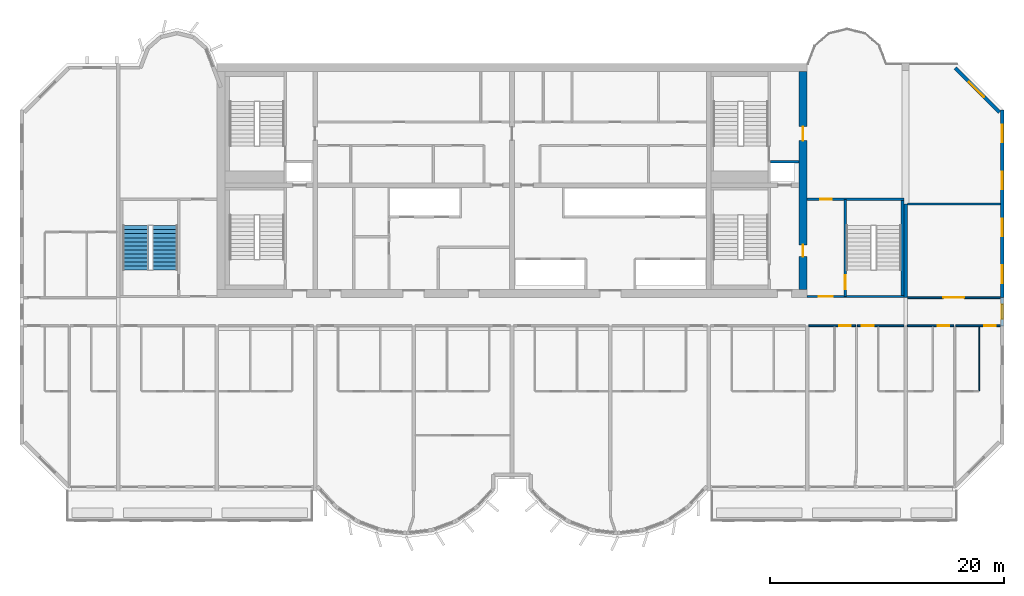
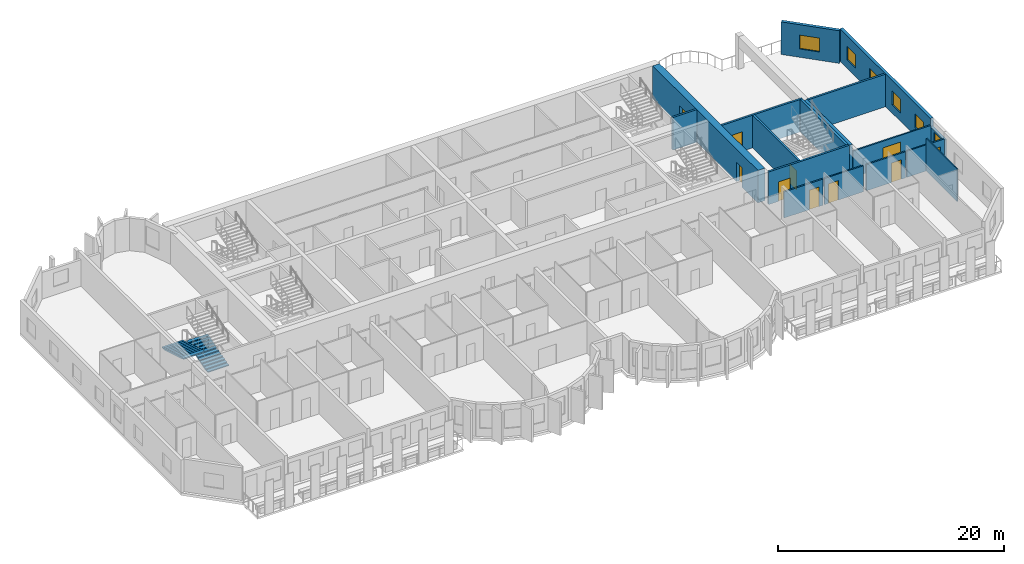
# One storey, part 9 of 13: 17 walls, 10 doors, 6 windows, 2 stair flights, 16 openings, 1 element without a shape of its own.
"""IFC4 building model written with IfcOpenShell, lengths in metres."""

from ifc_helpers import new_model, si_unit, direction, frame, frame_2d, origin, place, context, subcontext, project, spatial, polyline, rectangle, outline, extrude, source, transform, mapped, material, layer, layer_set, type_object, element, fill, aggregate, save


model = new_model("IFC4")

# Units and contexts
model_context = context("Model", 3, precision=1e-05, world=origin(), true_north=direction((0.0, 1.0)))
body_context = subcontext(model_context, "Body", "Model", "MODEL_VIEW")
ifc_project = project(units=[si_unit("LENGTHUNIT", "METRE"), si_unit("AREAUNIT", "SQUARE_METRE"), si_unit("VOLUMEUNIT", "CUBIC_METRE"), si_unit("PLANEANGLEUNIT", "RADIAN"), si_unit("MASSUNIT", "GRAM", prefix="KILO")], contexts=[model_context])

# Site, building, storey
site_placement = place(None, origin())
site = spatial("IfcSite", under=ifc_project, at=site_placement, CompositionType="ELEMENT")
building_placement = place(site_placement, origin())
building = spatial("IfcBuilding", under=site, at=building_placement, Name="Vanashikhar Sky Hotel", CompositionType="ELEMENT")
storey_placement = place(building_placement, frame((0.0, 0.0, 185.800048828125)))
storey = spatial("IfcBuildingStorey", under=building, at=storey_placement, Name="L45", CompositionType="ELEMENT", Elevation=185.800048828125)

# Wall, openings, doors
ifc_material_1 = material(Name="Concrete M60", Category="concrete")
ifc_layer_1 = layer(ifc_material_1, 0.699951171875)
ifc_layer_set_1 = layer_set([ifc_layer_1], Name="RC core shell wall 700 Concrete M60")
wall_type_1 = type_object("IfcWallType", Name="RC core shell wall 700 Concrete M60", PredefinedType="SHEAR", material=ifc_layer_set_1)
shared_shape_1 = source(origin(), body_context, "Body", "SweptSolid", [
    extrude(rectangle(XDim=18.60009765625, YDim=0.699951171875, at=frame_2d((9.300048828125, 0.0))), origin(), (0.0, 0.0, 1.0), 3.52001953125),
])
wall_1_placement = place(storey_placement, frame((75.25, 22.699951171875, 0.0), z_axis=(0.0, 0.0, 1.0), x_axis=(0.0, 1.0, 0.0)))
wall_1 = element("IfcWall", 1, at=wall_1_placement, inside=storey, type_object=wall_type_1, Name="KW-L45-KE", PredefinedType="SHEAR", context=body_context, shape_type="MappedRepresentation", body=[
    mapped(shared_shape_1, transform((0.0, 0.0, 0.0), scale=1.0)),
])
shared_shape_2 = source(origin(), body_context, "Body", "SweptSolid", [
    extrude(rectangle(XDim=1.0, YDim=2.10009765625, at=frame_2d((0.5, 1.050048828125))), frame((0.0, 0.35986328125, 0.0), z_axis=(0.0, -1.0, 0.0), x_axis=(1.0, 0.0, 0.0)), (0.0, 0.0, 1.0), 0.719970703125),
])
opening_1_placement = place(wall_1_placement, frame((2.800048828125, 0.0, 0.0)))
opening_1 = element("IfcOpeningElement", 2, at=opening_1_placement, cuts=wall_1, Name="Opening DC-5", PredefinedType="OPENING", context=body_context, shape_type="MappedRepresentation", body=[
    mapped(shared_shape_2, transform((0.0, 0.0, 0.0), scale=1.0)),
])
shared_shape_3 = source(origin(), body_context, "Body", "SweptSolid", [
    extrude(rectangle(XDim=1.199951171875, YDim=2.10009765625, at=frame_2d((0.60009765625, 1.050048828125))), frame((0.0, 0.35986328125, 0.0), z_axis=(0.0, -1.0, 0.0), x_axis=(1.0, 0.0, 0.0)), (0.0, 0.0, 1.0), 0.719970703125),
])
opening_2_placement = place(wall_1_placement, frame((12.699951171875, 0.0, 0.0)))
opening_2 = element("IfcOpeningElement", 3, at=opening_2_placement, cuts=wall_1, Name="Opening DC-4-D", PredefinedType="OPENING", context=body_context, shape_type="MappedRepresentation", body=[
    mapped(shared_shape_3, transform((0.0, 0.0, 0.0), scale=1.0)),
])
ifc_material_2 = material(Name="Steel", Category="steel")
door_type_1 = type_object("IfcDoorType", Name="Refuge door 1000 FD120", OperationType="NOTDEFINED", PredefinedType="DOOR", material=ifc_material_2)
shared_shape_4 = source(origin(), body_context, "Body", "SweptSolid", [
    extrude(rectangle(XDim=1.0, YDim=2.10009765625, at=frame_2d((0.5, 1.050048828125))), frame((0.0, 0.02490234375, 0.0), z_axis=(0.0, -1.0, 0.0), x_axis=(1.0, 0.0, 0.0)), (0.0, 0.0, 1.0), 0.050048828125),
])
door_1_placement = place(opening_1_placement, origin())
door_1 = element("IfcDoor", 4, at=door_1_placement, inside=storey, type_object=door_type_1, Name="Refuge door 1000 FD120", OperationType="SINGLE_SWING_LEFT", OverallHeight=2.10009765625, OverallWidth=1.0, PredefinedType="DOOR", context=body_context, shape_type="MappedRepresentation", body=[
    mapped(shared_shape_4, transform((0.0, 0.0, 0.0), scale=1.0)),
])
fill(opening_1, door_1)
door_type_2 = type_object("IfcDoorType", Name="Service door 1200 FD120", OperationType="NOTDEFINED", PredefinedType="DOOR", material=ifc_material_2)
shared_shape_5 = source(origin(), body_context, "Body", "SweptSolid", [
    extrude(rectangle(XDim=1.199951171875, YDim=2.10009765625, at=frame_2d((0.60009765625, 1.050048828125))), frame((0.0, 0.02490234375, 0.0), z_axis=(0.0, -1.0, 0.0), x_axis=(1.0, 0.0, 0.0)), (0.0, 0.0, 1.0), 0.050048828125),
])
door_2_placement = place(opening_2_placement, origin())
door_2 = element("IfcDoor", 5, at=door_2_placement, inside=storey, type_object=door_type_2, Name="Service door 1200 FD120", OperationType="SINGLE_SWING_LEFT", OverallHeight=2.10009765625, OverallWidth=1.199951171875, PredefinedType="DOOR", context=body_context, shape_type="MappedRepresentation", body=[
    mapped(shared_shape_5, transform((0.0, 0.0, 0.0), scale=1.0)),
])
fill(opening_2, door_2)

# Wall, openings, windows
ifc_layer_2 = layer(ifc_material_1, 0.300048828125)
ifc_layer_set_2 = layer_set([ifc_layer_2], Name="RC shear wall 300 Concrete M60")
wall_type_2 = type_object("IfcWallType", Name="RC shear wall 300 Concrete M60", PredefinedType="SHEAR", material=ifc_layer_set_2)
shared_shape_6 = source(origin(), body_context, "Body", "SweptSolid", [
    extrude(rectangle(XDim=16.0, YDim=0.300048828125, at=frame_2d((8.0, 0.0))), origin(), (0.0, 0.0, 1.0), 3.52001953125),
])
wall_2_placement = place(storey_placement, frame((92.25, 22.0, 0.0), z_axis=(0.0, 0.0, 1.0), x_axis=(0.0, 1.0, 0.0)))
wall_2 = element("IfcWall", 6, at=wall_2_placement, inside=storey, type_object=wall_type_2, Name="CW-L45-XW12-2", PredefinedType="SHEAR", context=body_context, shape_type="MappedRepresentation", body=[
    mapped(shared_shape_6, transform((0.0, 0.0, 0.0), scale=1.0)),
])
shared_shape_7 = source(origin(), body_context, "Body", "SweptSolid", [
    extrude(rectangle(XDim=1.5, YDim=1.5, at=frame_2d((0.75, 0.75))), frame((0.0, 0.16015625, 0.0), z_axis=(0.0, -1.0, 0.0), x_axis=(1.0, 0.0, 0.0)), (0.0, 0.0, 1.0), 0.320068359375),
])
opening_3_placement = place(wall_2_placement, frame((1.25, 0.0, 0.89990234375)))
opening_3 = element("IfcOpeningElement", 7, at=opening_3_placement, cuts=wall_2, Name="Opening WN-1", PredefinedType="OPENING", context=body_context, shape_type="MappedRepresentation", body=[
    mapped(shared_shape_7, transform((0.0, 0.0, 0.0), scale=1.0)),
])
opening_4_placement = place(wall_2_placement, frame((5.25, 0.0, 0.89990234375)))
opening_4 = element("IfcOpeningElement", 8, at=opening_4_placement, cuts=wall_2, Name="Opening WN-1", PredefinedType="OPENING", context=body_context, shape_type="MappedRepresentation", body=[
    mapped(shared_shape_7, transform((0.0, 0.0, 0.0), scale=1.0)),
])
opening_5_placement = place(wall_2_placement, frame((9.25, 0.0, 0.89990234375)))
opening_5 = element("IfcOpeningElement", 9, at=opening_5_placement, cuts=wall_2, Name="Opening WN-1", PredefinedType="OPENING", context=body_context, shape_type="MappedRepresentation", body=[
    mapped(shared_shape_7, transform((0.0, 0.0, 0.0), scale=1.0)),
])
opening_6_placement = place(wall_2_placement, frame((13.25, 0.0, 0.89990234375)))
opening_6 = element("IfcOpeningElement", 10, at=opening_6_placement, cuts=wall_2, Name="Opening WN-1", PredefinedType="OPENING", context=body_context, shape_type="MappedRepresentation", body=[
    mapped(shared_shape_7, transform((0.0, 0.0, 0.0), scale=1.0)),
])
ifc_material_3 = material(Name="Glass", Category="glass")
window_type_1 = type_object("IfcWindowType", Name="Window 1500 x 1500", PartitioningType="SINGLE_PANEL", PredefinedType="WINDOW", material=ifc_material_3)
shared_shape_8 = source(origin(), body_context, "Body", "SweptSolid", [
    extrude(rectangle(XDim=1.5, YDim=1.5, at=frame_2d((0.75, 0.75))), frame((0.0, 0.030029296875, 0.0), z_axis=(0.0, -1.0, 0.0), x_axis=(1.0, 0.0, 0.0)), (0.0, 0.0, 1.0), 0.06005859375),
])
window_1_placement = place(opening_3_placement, origin())
window_1 = element("IfcWindow", 11, at=window_1_placement, inside=storey, type_object=window_type_1, Name="Window WN-1", OverallHeight=1.5, OverallWidth=1.5, PartitioningType="SINGLE_PANEL", PredefinedType="WINDOW", context=body_context, shape_type="MappedRepresentation", body=[
    mapped(shared_shape_8, transform((0.0, 0.0, 0.0), scale=1.0)),
])
fill(opening_3, window_1)
window_2_placement = place(opening_4_placement, origin())
window_2 = element("IfcWindow", 12, at=window_2_placement, inside=storey, type_object=window_type_1, Name="Window WN-1", OverallHeight=1.5, OverallWidth=1.5, PartitioningType="SINGLE_PANEL", PredefinedType="WINDOW", context=body_context, shape_type="MappedRepresentation", body=[
    mapped(shared_shape_8, transform((0.0, 0.0, 0.0), scale=1.0)),
])
fill(opening_4, window_2)
window_3_placement = place(opening_5_placement, origin())
window_3 = element("IfcWindow", 13, at=window_3_placement, inside=storey, type_object=window_type_1, Name="Window WN-1", OverallHeight=1.5, OverallWidth=1.5, PartitioningType="SINGLE_PANEL", PredefinedType="WINDOW", context=body_context, shape_type="MappedRepresentation", body=[
    mapped(shared_shape_8, transform((0.0, 0.0, 0.0), scale=1.0)),
])
fill(opening_5, window_3)
window_4_placement = place(opening_6_placement, origin())
window_4 = element("IfcWindow", 14, at=window_4_placement, inside=storey, type_object=window_type_1, Name="Window WN-1", OverallHeight=1.5, OverallWidth=1.5, PartitioningType="SINGLE_PANEL", PredefinedType="WINDOW", context=body_context, shape_type="MappedRepresentation", body=[
    mapped(shared_shape_8, transform((0.0, 0.0, 0.0), scale=1.0)),
])
fill(opening_6, window_4)

# Wall
shared_shape_9 = source(origin(), body_context, "Body", "SweptSolid", [
    extrude(rectangle(XDim=8.0, YDim=0.300048828125, at=frame_2d((4.0, 0.0))), origin(), (0.0, 0.0, 1.0), 3.52001953125),
])
wall_3_placement = place(storey_placement, frame((84.0, 22.0, 0.0), z_axis=(0.0, 0.0, 1.0), x_axis=(0.0, 1.0, 0.0)))
element("IfcWall", 15, at=wall_3_placement, inside=storey, type_object=wall_type_2, Name="CW-L45-XW11-2", PredefinedType="SHEAR", context=body_context, shape_type="MappedRepresentation", body=[
    mapped(shared_shape_9, transform((0.0, 0.0, 0.0), scale=1.0)),
])

# Wall, opening, window
ifc_material_4 = material(Name="Concrete M50", Category="concrete")
ifc_layer_3 = layer(ifc_material_4, 0.300048828125)
ifc_layer_set_3 = layer_set([ifc_layer_3], Name="Lobe wall 300")
wall_type_3 = type_object("IfcWallType", Name="Lobe wall 300", PredefinedType="SOLIDWALL", material=ifc_layer_set_3)
shared_shape_10 = source(origin(), body_context, "Body", "SweptSolid", [
    extrude(rectangle(XDim=5.32568359375, YDim=0.300048828125, at=frame_2d((2.662841796875, 0.0))), origin(), (0.0, 0.0, 1.0), 3.52001953125),
])
wall_4_placement = place(storey_placement, frame((92.0, 37.834228515625, 0.0), z_axis=(0.0, 0.0, 1.0), x_axis=(-0.707083859269, 0.707129702361, 0.0)))
wall_4 = element("IfcWall", 16, at=wall_4_placement, inside=storey, type_object=wall_type_3, Name="Corner wall", PredefinedType="SOLIDWALL", context=body_context, shape_type="MappedRepresentation", body=[
    mapped(shared_shape_10, transform((0.0, 0.0, 0.0), scale=1.0)),
])
shared_shape_11 = source(origin(), body_context, "Body", "SweptSolid", [
    extrude(rectangle(XDim=1.800048828125, YDim=1.5, at=frame_2d((0.89990234375, 0.75))), frame((0.0, 0.16015625, 0.0), z_axis=(0.0, -1.0, 0.0), x_axis=(1.0, 0.0, 0.0)), (0.0, 0.0, 1.0), 0.320068359375),
])
opening_7_placement = place(wall_4_placement, frame((1.8359375, 0.0, 0.89990234375)))
opening_7 = element("IfcOpeningElement", 17, at=opening_7_placement, cuts=wall_4, Name="Opening WN-4", PredefinedType="OPENING", context=body_context, shape_type="MappedRepresentation", body=[
    mapped(shared_shape_11, transform((0.0, 0.0, 0.0), scale=1.0)),
])
window_type_2 = type_object("IfcWindowType", Name="Corner window 1800 x 1500", PartitioningType="SINGLE_PANEL", PredefinedType="WINDOW", material=ifc_material_3)
shared_shape_12 = source(origin(), body_context, "Body", "SweptSolid", [
    extrude(rectangle(XDim=1.800048828125, YDim=1.5, at=frame_2d((0.89990234375, 0.75))), frame((0.0, 0.030029296875, 0.0), z_axis=(0.0, -1.0, 0.0), x_axis=(1.0, 0.0, 0.0)), (0.0, 0.0, 1.0), 0.06005859375),
])
window_5_placement = place(opening_7_placement, origin())
window_5 = element("IfcWindow", 18, at=window_5_placement, inside=storey, type_object=window_type_2, Name="Window WN-4", OverallHeight=1.5, OverallWidth=1.800048828125, PartitioningType="SINGLE_PANEL", PredefinedType="WINDOW", context=body_context, shape_type="MappedRepresentation", body=[
    mapped(shared_shape_12, transform((0.0, 0.0, 0.0), scale=1.0)),
])
fill(opening_7, window_5)

ifc_layer_4 = layer(ifc_material_4, 0.25)
ifc_layer_set_4 = layer_set([ifc_layer_4], Name="Rear and end board-marked wall 250")
wall_type_4 = type_object("IfcWallType", Name="Rear and end board-marked wall 250", PredefinedType="SOLIDWALL", material=ifc_layer_set_4)
shared_shape_13 = source(origin(), body_context, "Body", "SweptSolid", [
    extrude(rectangle(XDim=2.39990234375, YDim=0.25, at=frame_2d((1.199951171875, 0.0))), origin(), (0.0, 0.0, 1.0), 2.619873046875),
])
wall_5_placement = place(storey_placement, frame((92.25, 19.60009765625, 0.0), z_axis=(0.0, 0.0, 1.0), x_axis=(0.0, 1.0, 0.0)))
wall_5 = element("IfcWall", 19, at=wall_5_placement, inside=storey, type_object=wall_type_4, Name="End corridor infill wall", PredefinedType="SOLIDWALL", context=body_context, shape_type="MappedRepresentation", body=[
    mapped(shared_shape_13, transform((0.0, 0.0, 0.0), scale=1.0)),
])
shared_shape_14 = source(origin(), body_context, "Body", "SweptSolid", [
    extrude(rectangle(XDim=1.199951171875, YDim=1.5, at=frame_2d((0.60009765625, 0.75))), frame((0.0, 0.135009765625, 0.0), z_axis=(0.0, -1.0, 0.0), x_axis=(1.0, 0.0, 0.0)), (0.0, 0.0, 1.0), 0.27001953125),
])
opening_8_placement = place(wall_5_placement, frame((0.60009765625, 0.0, 0.89990234375)))
opening_8 = element("IfcOpeningElement", 20, at=opening_8_placement, cuts=wall_5, Name="Opening WN-3", PredefinedType="OPENING", context=body_context, shape_type="MappedRepresentation", body=[
    mapped(shared_shape_14, transform((0.0, 0.0, 0.0), scale=1.0)),
])
window_type_3 = type_object("IfcWindowType", Name="Corridor end window 1200 x 1500", PartitioningType="SINGLE_PANEL", PredefinedType="WINDOW", material=ifc_material_3)
shared_shape_15 = source(origin(), body_context, "Body", "SweptSolid", [
    extrude(rectangle(XDim=1.199951171875, YDim=1.5, at=frame_2d((0.60009765625, 0.75))), frame((0.0, 0.030029296875, 0.0), z_axis=(0.0, -1.0, 0.0), x_axis=(1.0, 0.0, 0.0)), (0.0, 0.0, 1.0), 0.06005859375),
])
window_6_placement = place(opening_8_placement, origin())
window_6 = element("IfcWindow", 21, at=window_6_placement, inside=storey, type_object=window_type_3, Name="Window WN-3", OverallHeight=1.5, OverallWidth=1.199951171875, PartitioningType="SINGLE_PANEL", PredefinedType="WINDOW", context=body_context, shape_type="MappedRepresentation", body=[
    mapped(shared_shape_15, transform((0.0, 0.0, 0.0), scale=1.0)),
])
fill(opening_8, window_6)

# Wall, opening, door
ifc_layer_5 = layer(ifc_material_4, 0.199951171875)
ifc_layer_set_5 = layer_set([ifc_layer_5], Name="Stair wall 200")
wall_type_5 = type_object("IfcWallType", Name="Stair wall 200", PredefinedType="SOLIDWALL", material=ifc_layer_set_5)
shared_shape_16 = source(origin(), body_context, "Body", "SweptSolid", [
    extrude(rectangle(XDim=8.2998046875, YDim=0.199951171875, at=frame_2d((4.14990234375, 0.0))), origin(), (0.0, 0.0, 1.0), 3.52001953125),
])
wall_6_placement = place(storey_placement, frame((78.85009765625, 22.10009765625, 0.0), z_axis=(0.0, 0.0, 1.0), x_axis=(0.0, 1.0, 0.0)))
wall_6 = element("IfcWall", 22, at=wall_6_placement, inside=storey, type_object=wall_type_5, Name="Stair wall 200", PredefinedType="SOLIDWALL", context=body_context, shape_type="MappedRepresentation", body=[
    mapped(shared_shape_16, transform((0.0, 0.0, 0.0), scale=1.0)),
])
shared_shape_17 = source(origin(), body_context, "Body", "SweptSolid", [
    extrude(rectangle(XDim=1.199951171875, YDim=2.10009765625, at=frame_2d((0.60009765625, 1.050048828125))), frame((0.0, 0.10986328125, 0.0), z_axis=(0.0, -1.0, 0.0), x_axis=(1.0, 0.0, 0.0)), (0.0, 0.0, 1.0), 0.219970703125),
])
opening_9_placement = place(wall_6_placement, frame((0.60009765625, 0.0, 0.0)))
opening_9 = element("IfcOpeningElement", 23, at=opening_9_placement, cuts=wall_6, Name="Opening DC-1", PredefinedType="OPENING", context=body_context, shape_type="MappedRepresentation", body=[
    mapped(shared_shape_17, transform((0.0, 0.0, 0.0), scale=1.0)),
])
door_type_3 = type_object("IfcDoorType", Name="Stair door 1200 FD120", OperationType="NOTDEFINED", PredefinedType="DOOR", material=ifc_material_2)
door_3_placement = place(opening_9_placement, origin())
door_3 = element("IfcDoor", 24, at=door_3_placement, inside=storey, type_object=door_type_3, Name="Stair door 1200 FD120", OperationType="SINGLE_SWING_RIGHT", OverallHeight=2.10009765625, OverallWidth=1.199951171875, PredefinedType="DOOR", context=body_context, shape_type="MappedRepresentation", body=[
    mapped(shared_shape_5, transform((0.0, 0.0, 0.0), scale=1.0)),
])
fill(opening_9, door_3)

# Wall
ifc_material_5 = material(Name="Concrete M40", Category="concrete")
ifc_layer_6 = layer(ifc_material_5, 0.199951171875)
ifc_layer_set_6 = layer_set([ifc_layer_6], Name="Shaft wall 200")
wall_type_6 = type_object("IfcWallType", Name="Shaft wall 200", PredefinedType="SOLIDWALL", material=ifc_layer_set_6)
shared_shape_18 = source(origin(), body_context, "Body", "SweptSolid", [
    extrude(rectangle(XDim=2.449951171875, YDim=0.199951171875, at=frame_2d((1.22509765625, 0.0))), origin(), (0.0, 0.0, 1.0), 3.52001953125),
])
wall_7_placement = place(storey_placement, frame((72.449951171875, 33.60009765625, 0.0), z_axis=(0.0, 0.0, 1.0), x_axis=(1.0, 0.0, 0.0)))
element("IfcWall", 25, at=wall_7_placement, inside=storey, type_object=wall_type_6, Name="Shaft wall 200", PredefinedType="SOLIDWALL", context=body_context, shape_type="MappedRepresentation", body=[
    mapped(shared_shape_18, transform((0.0, 0.0, 0.0), scale=1.0)),
])

# Wall, opening, door
shared_shape_19 = source(origin(), body_context, "Body", "SweptSolid", [
    extrude(rectangle(XDim=8.25, YDim=0.199951171875, at=frame_2d((4.125, 0.0))), origin(), (0.0, 0.0, 1.0), 3.52001953125),
])
wall_8_placement = place(storey_placement, frame((83.85009765625, 22.10009765625, 0.0), z_axis=(0.0, 0.0, 1.0), x_axis=(-1.0, 0.0, 0.0)))
wall_8 = element("IfcWall", 26, at=wall_8_placement, inside=storey, type_object=wall_type_5, Name="Stair wall 200", PredefinedType="SOLIDWALL", context=body_context, shape_type="MappedRepresentation", body=[
    mapped(shared_shape_19, transform((0.0, 0.0, 0.0), scale=1.0)),
])
opening_10_placement = place(wall_8_placement, frame((6.050048828125, 0.0, 0.0)))
opening_10 = element("IfcOpeningElement", 27, at=opening_10_placement, cuts=wall_8, Name="Opening DC-2", PredefinedType="OPENING", context=body_context, shape_type="MappedRepresentation", body=[
    mapped(shared_shape_17, transform((0.0, 0.0, 0.0), scale=1.0)),
])
door_type_4 = type_object("IfcDoorType", Name="Firefighting lobby door 1200 FD120", OperationType="NOTDEFINED", PredefinedType="DOOR", material=ifc_material_2)
door_4_placement = place(opening_10_placement, origin())
door_4 = element("IfcDoor", 28, at=door_4_placement, inside=storey, type_object=door_type_4, Name="Firefighting lobby door 1200 FD120", OperationType="SINGLE_SWING_LEFT", OverallHeight=2.10009765625, OverallWidth=1.199951171875, PredefinedType="DOOR", context=body_context, shape_type="MappedRepresentation", body=[
    mapped(shared_shape_5, transform((0.0, 0.0, 0.0), scale=1.0)),
])
fill(opening_10, door_4)

wall_9_placement = place(storey_placement, frame((83.85009765625, 30.39990234375, 0.0), z_axis=(0.0, 0.0, 1.0), x_axis=(-1.0, 0.0, 0.0)))
wall_9 = element("IfcWall", 29, at=wall_9_placement, inside=storey, type_object=wall_type_5, Name="Stair wall 200", PredefinedType="SOLIDWALL", context=body_context, shape_type="MappedRepresentation", body=[
    mapped(shared_shape_19, transform((0.0, 0.0, 0.0), scale=1.0)),
])
shared_shape_20 = source(origin(), body_context, "Body", "SweptSolid", [
    extrude(rectangle(XDim=1.0, YDim=2.10009765625, at=frame_2d((0.5, 1.050048828125))), frame((0.0, 0.10986328125, 0.0), z_axis=(0.0, -1.0, 0.0), x_axis=(1.0, 0.0, 0.0)), (0.0, 0.0, 1.0), 0.219970703125),
])
opening_11_placement = place(wall_9_placement, frame((6.14990234375, 0.0, 0.0)))
opening_11 = element("IfcOpeningElement", 30, at=opening_11_placement, cuts=wall_9, Name="Opening DC-6", PredefinedType="OPENING", context=body_context, shape_type="MappedRepresentation", body=[
    mapped(shared_shape_20, transform((0.0, 0.0, 0.0), scale=1.0)),
])
door_type_5 = type_object("IfcDoorType", Name="Pocket door 1000 FD60", OperationType="NOTDEFINED", PredefinedType="DOOR", material=ifc_material_2)
door_5_placement = place(opening_11_placement, origin())
door_5 = element("IfcDoor", 31, at=door_5_placement, inside=storey, type_object=door_type_5, Name="Pocket door 1000 FD60", OperationType="SINGLE_SWING_LEFT", OverallHeight=2.10009765625, OverallWidth=1.0, PredefinedType="DOOR", context=body_context, shape_type="MappedRepresentation", body=[
    mapped(shared_shape_4, transform((0.0, 0.0, 0.0), scale=1.0)),
])
fill(opening_11, door_5)

# Wall
ifc_layer_7 = layer(ifc_material_4, 0.25)
ifc_layer_set_7 = layer_set([ifc_layer_7], Name="Stair infill wall 250")
wall_type_7 = type_object("IfcWallType", Name="Stair infill wall 250", PredefinedType="SOLIDWALL", material=ifc_layer_set_7)
shared_shape_21 = source(origin(), body_context, "Body", "SweptSolid", [
    extrude(rectangle(XDim=8.10009765625, YDim=0.25, at=frame_2d((4.050048828125, 0.0))), origin(), (0.0, 0.0, 1.0), 3.52001953125),
])
wall_10_placement = place(storey_placement, frame((83.72509765625, 22.199951171875, 0.0), z_axis=(0.0, 0.0, 1.0), x_axis=(0.0, 1.0, 0.0)))
element("IfcWall", 32, at=wall_10_placement, inside=storey, type_object=wall_type_7, Name="Stair infill wall 250", PredefinedType="SOLIDWALL", context=body_context, shape_type="MappedRepresentation", body=[
    mapped(shared_shape_21, transform((0.0, 0.0, 0.0), scale=1.0)),
])

# Wall, opening, door
ifc_material_6 = material(Name="Gypsum plasterboard partition")
ifc_layer_8 = layer(ifc_material_6, 0.14990234375)
ifc_layer_set_8 = layer_set([ifc_layer_8], Name="Corridor and demising partition 150")
wall_type_8 = type_object("IfcWallType", Name="Corridor and demising partition 150", PredefinedType="PARTITIONING", material=ifc_layer_set_8)
shared_shape_22 = source(origin(), body_context, "Body", "SweptSolid", [
    extrude(rectangle(XDim=7.9501953125, YDim=0.14990234375, at=frame_2d((3.97509765625, 0.0))), origin(), (0.0, 0.0, 1.0), 2.820068359375),
])
wall_11_placement = place(storey_placement, frame((84.14990234375, 22.0, 0.0), z_axis=(0.0, 0.0, 1.0), x_axis=(1.0, 0.0, 0.0)))
wall_11 = element("IfcWall", 33, at=wall_11_placement, inside=storey, type_object=wall_type_8, Name="W-L45-PW065", PredefinedType="PARTITIONING", context=body_context, shape_type="MappedRepresentation", body=[
    mapped(shared_shape_22, transform((0.0, 0.0, 0.0), scale=1.0)),
])
shared_shape_23 = source(origin(), body_context, "Body", "SweptSolid", [
    extrude(rectangle(XDim=1.800048828125, YDim=2.10009765625, at=frame_2d((0.89990234375, 1.050048828125))), frame((0.0, 0.0849609375, 0.0), z_axis=(0.0, -1.0, 0.0), x_axis=(1.0, 0.0, 0.0)), (0.0, 0.0, 1.0), 0.169921875),
])
opening_12_placement = place(wall_11_placement, frame((3.074951171875, 0.0, 0.0)))
opening_12 = element("IfcOpeningElement", 34, at=opening_12_placement, cuts=wall_11, Name="Opening D-03", PredefinedType="OPENING", context=body_context, shape_type="MappedRepresentation", body=[
    mapped(shared_shape_23, transform((0.0, 0.0, 0.0), scale=1.0)),
])
ifc_material_7 = material(Name="Timber fire door", Category="wood")
door_type_6 = type_object("IfcDoorType", Name="Double leaf door 1800 FD30S", OperationType="NOTDEFINED", PredefinedType="DOOR", material=ifc_material_7)
shared_shape_24 = source(origin(), body_context, "Body", "SweptSolid", [
    extrude(rectangle(XDim=1.800048828125, YDim=2.10009765625, at=frame_2d((0.89990234375, 1.050048828125))), frame((0.0, 0.02490234375, 0.0), z_axis=(0.0, -1.0, 0.0), x_axis=(1.0, 0.0, 0.0)), (0.0, 0.0, 1.0), 0.050048828125),
])
door_6_placement = place(opening_12_placement, origin())
door_6 = element("IfcDoor", 35, at=door_6_placement, inside=storey, type_object=door_type_6, Name="D-L45-038", OperationType="DOUBLE_DOOR_SINGLE_SWING", OverallHeight=2.10009765625, OverallWidth=1.800048828125, PredefinedType="DOOR", context=body_context, shape_type="MappedRepresentation", body=[
    mapped(shared_shape_24, transform((0.0, 0.0, 0.0), scale=1.0)),
])
fill(opening_12, door_6)

# Wall
ifc_layer_9 = layer(ifc_material_6, 0.10009765625)
ifc_layer_set_9 = layer_set([ifc_layer_9], Name="Wet room partition 100")
wall_type_9 = type_object("IfcWallType", Name="Wet room partition 100", PredefinedType="PARTITIONING", material=ifc_layer_set_9)
shared_shape_25 = source(origin(), body_context, "Body", "SweptSolid", [
    extrude(rectangle(XDim=5.449951171875, YDim=0.10009765625, at=frame_2d((2.72509765625, 0.0))), origin(), (0.0, 0.0, 1.0), 3.52001953125),
])
wall_12_placement = place(storey_placement, frame((90.300048828125, 14.074951171875, 0.0), z_axis=(0.0, 0.0, 1.0), x_axis=(0.0, 1.0, 0.0)))
element("IfcWall", 36, at=wall_12_placement, inside=storey, type_object=wall_type_9, Name="W-L45-PW054", PredefinedType="PARTITIONING", context=body_context, shape_type="MappedRepresentation", body=[
    mapped(shared_shape_25, transform((0.0, 0.0, 0.0), scale=1.0)),
])

# Wall, opening, door
shared_shape_26 = source(origin(), body_context, "Body", "SweptSolid", [
    extrude(rectangle(XDim=3.97509765625, YDim=0.14990234375, at=frame_2d((1.987548828125, 0.0))), origin(), (0.0, 0.0, 1.0), 2.820068359375),
])
wall_13_placement = place(storey_placement, frame((75.75, 19.60009765625, 0.0), z_axis=(0.0, 0.0, 1.0), x_axis=(1.0, 0.0, 0.0)))
wall_13 = element("IfcWall", 37, at=wall_13_placement, inside=storey, type_object=wall_type_8, Name="W-L45-PW046", PredefinedType="PARTITIONING", context=body_context, shape_type="MappedRepresentation", body=[
    mapped(shared_shape_26, transform((0.0, 0.0, 0.0), scale=1.0)),
])
shared_shape_27 = source(origin(), body_context, "Body", "SweptSolid", [
    extrude(rectangle(XDim=1.0, YDim=2.10009765625, at=frame_2d((0.5, 1.050048828125))), frame((0.0, 0.0849609375, 0.0), z_axis=(0.0, -1.0, 0.0), x_axis=(1.0, 0.0, 0.0)), (0.0, 0.0, 1.0), 0.169921875),
])
opening_13_placement = place(wall_13_placement, frame((2.574951171875, 0.0, 0.0)))
opening_13 = element("IfcOpeningElement", 38, at=opening_13_placement, cuts=wall_13, Name="Opening D-01", PredefinedType="OPENING", context=body_context, shape_type="MappedRepresentation", body=[
    mapped(shared_shape_27, transform((0.0, 0.0, 0.0), scale=1.0)),
])
door_type_7 = type_object("IfcDoorType", Name="Guest entry door 1000 FD30S", OperationType="NOTDEFINED", PredefinedType="DOOR", material=ifc_material_7)
door_7_placement = place(opening_13_placement, origin())
door_7 = element("IfcDoor", 39, at=door_7_placement, inside=storey, type_object=door_type_7, Name="D-L45-028", OperationType="SINGLE_SWING_RIGHT", OverallHeight=2.10009765625, OverallWidth=1.0, PredefinedType="DOOR", context=body_context, shape_type="MappedRepresentation", body=[
    mapped(shared_shape_4, transform((0.0, 0.0, 0.0), scale=1.0)),
])
fill(opening_13, door_7)

wall_14_placement = place(storey_placement, frame((79.875, 19.60009765625, 0.0), z_axis=(0.0, 0.0, 1.0), x_axis=(1.0, 0.0, 0.0)))
wall_14 = element("IfcWall", 40, at=wall_14_placement, inside=storey, type_object=wall_type_8, Name="W-L45-PW049", PredefinedType="PARTITIONING", context=body_context, shape_type="MappedRepresentation", body=[
    mapped(shared_shape_26, transform((0.0, 0.0, 0.0), scale=1.0)),
])
opening_14_placement = place(wall_14_placement, frame((0.39990234375, 0.0, 0.0)))
opening_14 = element("IfcOpeningElement", 41, at=opening_14_placement, cuts=wall_14, Name="Opening D-01", PredefinedType="OPENING", context=body_context, shape_type="MappedRepresentation", body=[
    mapped(shared_shape_27, transform((0.0, 0.0, 0.0), scale=1.0)),
])
door_8_placement = place(opening_14_placement, origin())
door_8 = element("IfcDoor", 42, at=door_8_placement, inside=storey, type_object=door_type_7, Name="D-L45-030", OperationType="SINGLE_SWING_LEFT", OverallHeight=2.10009765625, OverallWidth=1.0, PredefinedType="DOOR", context=body_context, shape_type="MappedRepresentation", body=[
    mapped(shared_shape_4, transform((0.0, 0.0, 0.0), scale=1.0)),
])
fill(opening_14, door_8)

wall_15_placement = place(storey_placement, frame((84.14990234375, 19.60009765625, 0.0), z_axis=(0.0, 0.0, 1.0), x_axis=(1.0, 0.0, 0.0)))
wall_15 = element("IfcWall", 43, at=wall_15_placement, inside=storey, type_object=wall_type_8, Name="W-L45-PW053", PredefinedType="PARTITIONING", context=body_context, shape_type="MappedRepresentation", body=[
    mapped(shared_shape_26, transform((0.0, 0.0, 0.0), scale=1.0)),
])
opening_15_placement = place(wall_15_placement, frame((2.574951171875, 0.0, 0.0)))
opening_15 = element("IfcOpeningElement", 44, at=opening_15_placement, cuts=wall_15, Name="Opening D-01", PredefinedType="OPENING", context=body_context, shape_type="MappedRepresentation", body=[
    mapped(shared_shape_27, transform((0.0, 0.0, 0.0), scale=1.0)),
])
door_9_placement = place(opening_15_placement, origin())
door_9 = element("IfcDoor", 45, at=door_9_placement, inside=storey, type_object=door_type_7, Name="D-L45-032", OperationType="SINGLE_SWING_RIGHT", OverallHeight=2.10009765625, OverallWidth=1.0, PredefinedType="DOOR", context=body_context, shape_type="MappedRepresentation", body=[
    mapped(shared_shape_4, transform((0.0, 0.0, 0.0), scale=1.0)),
])
fill(opening_15, door_9)

shared_shape_28 = source(origin(), body_context, "Body", "SweptSolid", [
    extrude(rectangle(XDim=3.8251953125, YDim=0.14990234375, at=frame_2d((1.91259765625, 0.0))), origin(), (0.0, 0.0, 1.0), 2.820068359375),
])
wall_16_placement = place(storey_placement, frame((88.27490234375, 19.60009765625, 0.0), z_axis=(0.0, 0.0, 1.0), x_axis=(1.0, 0.0, 0.0)))
wall_16 = element("IfcWall", 46, at=wall_16_placement, inside=storey, type_object=wall_type_8, Name="W-L45-PW056", PredefinedType="PARTITIONING", context=body_context, shape_type="MappedRepresentation", body=[
    mapped(shared_shape_28, transform((0.0, 0.0, 0.0), scale=1.0)),
])
opening_16_placement = place(wall_16_placement, frame((2.425048828125, 0.0, 0.0)))
opening_16 = element("IfcOpeningElement", 47, at=opening_16_placement, cuts=wall_16, Name="Opening D-01", PredefinedType="OPENING", context=body_context, shape_type="MappedRepresentation", body=[
    mapped(shared_shape_27, transform((0.0, 0.0, 0.0), scale=1.0)),
])
door_10_placement = place(opening_16_placement, origin())
door_10 = element("IfcDoor", 48, at=door_10_placement, inside=storey, type_object=door_type_7, Name="D-L45-034", OperationType="SINGLE_SWING_RIGHT", OverallHeight=2.10009765625, OverallWidth=1.0, PredefinedType="DOOR", context=body_context, shape_type="MappedRepresentation", body=[
    mapped(shared_shape_4, transform((0.0, 0.0, 0.0), scale=1.0)),
])
fill(opening_16, door_10)

# Wall
ifc_material_8 = material(Name="Masonry partition", Category="masonry")
ifc_layer_10 = layer(ifc_material_8, 0.199951171875)
ifc_layer_set_10 = layer_set([ifc_layer_10], Name="Refuge enclosure wall 200")
wall_type_10 = type_object("IfcWallType", Name="Refuge enclosure wall 200", PredefinedType="PARTITIONING", material=ifc_layer_set_10)
shared_shape_29 = source(origin(), body_context, "Body", "SweptSolid", [
    extrude(rectangle(XDim=7.9501953125, YDim=0.199951171875, at=frame_2d((3.97509765625, 0.0))), origin(), (0.0, 0.0, 1.0), 3.52001953125),
])
wall_17_placement = place(storey_placement, frame((84.14990234375, 30.0, 0.0), z_axis=(0.0, 0.0, 1.0), x_axis=(1.0, 0.0, 0.0)))
element("IfcWall", 49, at=wall_17_placement, inside=storey, type_object=wall_type_10, Name="W-L45-PW066", PredefinedType="PARTITIONING", context=body_context, shape_type="MappedRepresentation", body=[
    mapped(shared_shape_29, transform((0.0, 0.0, 0.0), scale=1.0)),
])

# Stair, stair flights
stair_type = type_object("IfcStairType", Name="Exit stair 2150", PredefinedType="DOUBLE_RETURN_STAIR", material=ifc_material_5)
stair_placement = place(storey_placement, origin())
stair = element("IfcStair", 50, at=stair_placement, inside=storey, type_object=stair_type, Name="L45 Exit stair 3", PredefinedType="DOUBLE_RETURN_STAIR")
stair_flight_type = type_object("IfcStairFlightType", Name="Stair flight 2150", PredefinedType="STRAIGHT", material=ifc_material_5)
shared_shape_30 = source(origin(), body_context, "Body", "SweptSolid", [
    extrude(outline(polyline([(0.0, 0.0), (0.0, 0.10546875), (0.345458984375, 0.10546875), (0.345458984375, 0.211181640625), (0.69091796875, 0.211181640625), (0.69091796875, 0.316650390625), (1.036376953125, 0.316650390625), (1.036376953125, 0.422119140625), (1.3818359375, 0.422119140625), (1.3818359375, 0.52783203125), (1.727294921875, 0.52783203125), (1.727294921875, 0.63330078125), (2.07275390625, 0.63330078125), (2.07275390625, 0.73876953125), (2.418212890625, 0.73876953125), (2.418212890625, 0.844482421875), (2.763671875, 0.844482421875), (2.763671875, 0.949951171875), (3.109130859375, 0.949951171875), (3.109130859375, 1.0556640625), (3.45458984375, 1.0556640625), (3.45458984375, 1.1611328125), (3.800048828125, 1.1611328125), (3.800048828125, 1.2666015625), (3.800048828125, 1.035400390625), (0.4111328125, 0.0), (0.0, 0.0)])), frame((0.0, 1.074951171875, 0.0), z_axis=(0.0, -1.0, 0.0), x_axis=(1.0, 0.0, 0.0)), (0.0, 0.0, 1.0), 2.14990234375),
])
stair_flight_1_placement = place(storey_placement, frame((20.77490234375, 24.35009765625, 0.0), z_axis=(0.0, 0.0, 1.0), x_axis=(0.0, 1.0, 0.0)))
stair_flight_1 = element("IfcStairFlight", 51, at=stair_flight_1_placement, type_object=stair_flight_type, Name="ST-W flight 1", NumberOfRisers=12, NumberOfTreads=11, PredefinedType="STRAIGHT", RiserHeight=0.105555556, TreadLength=0.345454545, context=body_context, shape_type="MappedRepresentation", body=[
    mapped(shared_shape_30, transform((0.0, 0.0, 0.0), scale=1.0)),
])
stair_flight_2_placement = place(storey_placement, frame((18.27490234375, 28.14990234375, 1.2666015625), z_axis=(0.0, 0.0, 1.0), x_axis=(0.0, -1.0, 0.0)))
stair_flight_2 = element("IfcStairFlight", 52, at=stair_flight_2_placement, type_object=stair_flight_type, Name="ST-W flight 2", NumberOfRisers=12, NumberOfTreads=11, PredefinedType="STRAIGHT", RiserHeight=0.105555556, TreadLength=0.345454545, context=body_context, shape_type="MappedRepresentation", body=[
    mapped(shared_shape_30, transform((0.0, 0.0, 0.0), scale=1.0)),
])
aggregate(stair, [stair_flight_1, stair_flight_2])

save(model, "model.ifc")
